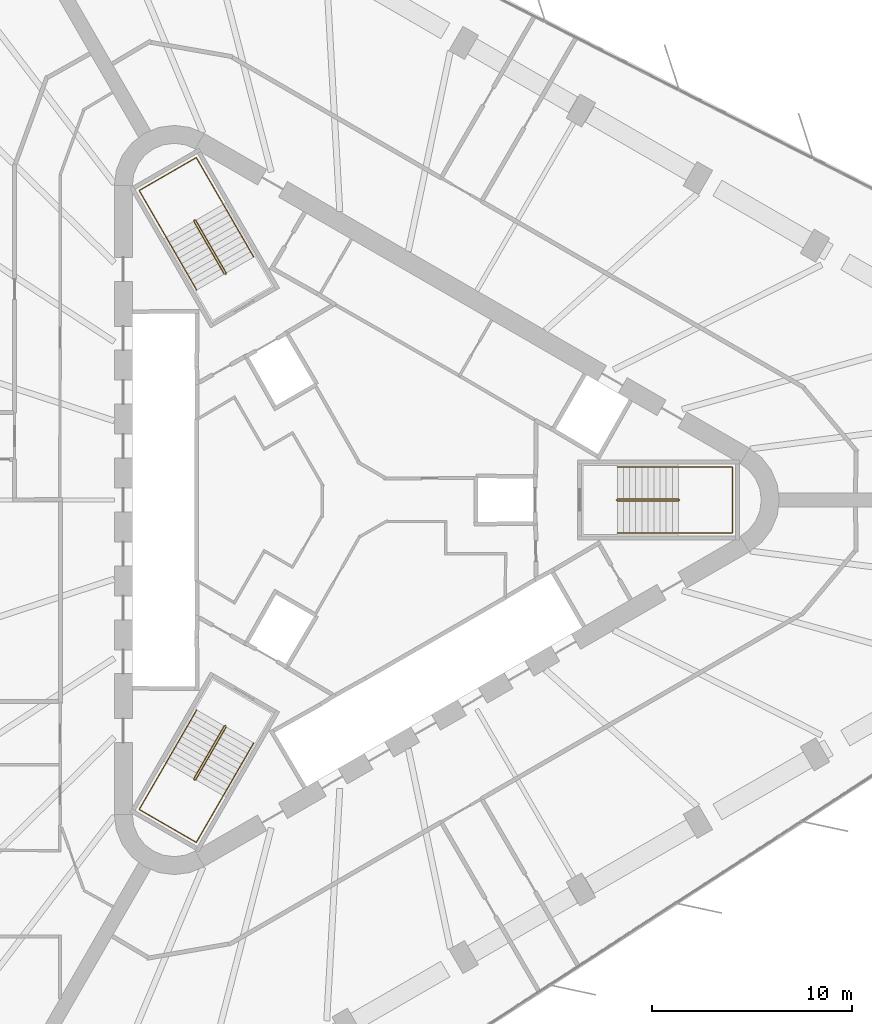
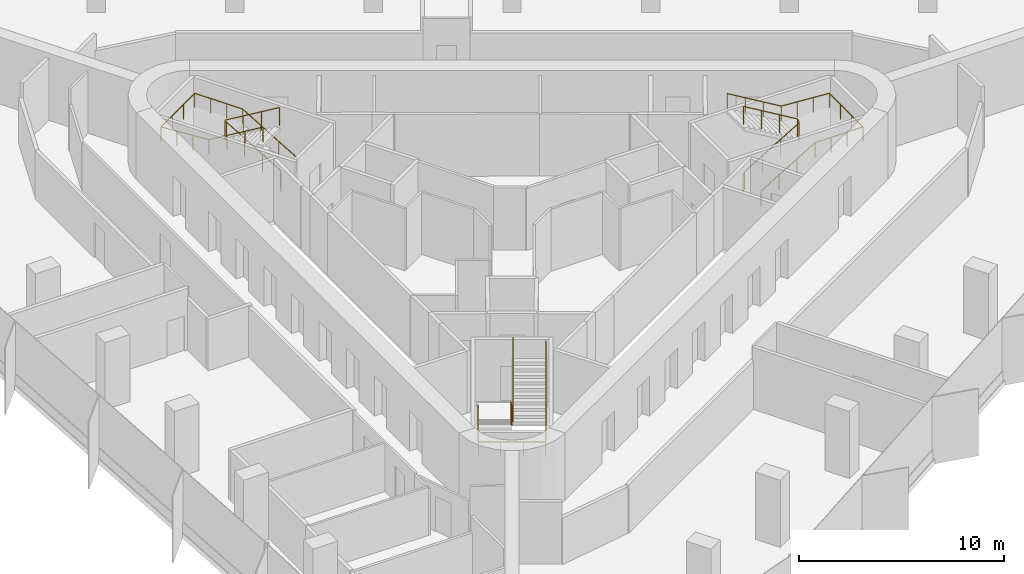
# One storey, part 13 of 13: 6 railings.
"""IFC4 building model written with IfcOpenShell, lengths in metres."""

from ifc_helpers import new_model, si_unit, direction, frame, origin, origin_2d, place, context, subcontext, project, spatial, circle, extrude, material, type_object, element, save


model = new_model("IFC4")

# Units and contexts
model_context = context("Model", 3, precision=1e-05, world=origin(), true_north=direction((0.0, 1.0)))
body_context = subcontext(model_context, "Body", "Model", "MODEL_VIEW")
ifc_project = project(units=[si_unit("LENGTHUNIT", "METRE"), si_unit("AREAUNIT", "SQUARE_METRE"), si_unit("VOLUMEUNIT", "CUBIC_METRE"), si_unit("PLANEANGLEUNIT", "RADIAN"), si_unit("MASSUNIT", "GRAM", prefix="KILO")], contexts=[model_context])

# Site, building, storey
site_placement = place(None, origin())
site = spatial("IfcSite", under=ifc_project, at=site_placement, CompositionType="ELEMENT")
building_placement = place(site_placement, origin())
building = spatial("IfcBuilding", under=site, at=building_placement, Name="Tanit Gate Tower", CompositionType="ELEMENT")
storey_placement = place(building_placement, frame((0.0, 0.0, 169.199951171875)))
storey = spatial("IfcBuildingStorey", under=building, at=storey_placement, Name="L36", CompositionType="ELEMENT", Elevation=169.199951171875)

# Railings
ifc_material_1 = material(Name="Stainless steel balustrade", Category="steel")
railing_type_1 = type_object("IfcRailingType", Name="INT-STAIR-GUARD", PredefinedType="GUARDRAIL", material=ifc_material_1)
railing_1_placement = place(storey_placement, frame((13.044921875, 0.0048828125, 0.0)))
element("IfcRailing", 1, at=railing_1_placement, inside=storey, type_object=railing_type_1, Name="L36 S1 stair guard 1", PredefinedType="GUARDRAIL", context=body_context, shape_type="SweptSolid", body=[
    extrude(circle(Radius=0.02392578125, at=origin_2d()), frame((0.0, 0.0, 1.076171875), z_axis=(0.0, -1.0, 0.0), x_axis=(1.0, 0.0, 0.0)), (0.0, 0.0, 1.0), 0.009765625),
    extrude(circle(Radius=0.02392578125, at=origin_2d()), frame((0.0, -0.009765625, 1.076171875), z_axis=(0.256435381639, -0.256435381639, 0.931923704005), x_axis=(0.707106781187, 0.707106781187, 0.0)), (0.0, 0.0, 1.0), 0.195068359375),
    extrude(circle(Radius=0.02392578125, at=origin_2d()), frame((0.050048828125, -0.059814453125, 1.2578125), z_axis=(0.859041732319, 0.0, 0.511905559781), x_axis=(0.0, 1.0, 0.0)), (0.0, 0.0, 1.0), 3.5517578125),
    extrude(circle(Radius=0.02392578125, at=origin_2d()), frame((3.10107421875, -0.059814453125, 3.076171875), z_axis=(0.707106781187, 0.707106781187, 0.0), x_axis=(-0.707106781187, 0.707106781187, 0.0)), (0.0, 0.0, 1.0), 0.07080078125),
    extrude(circle(Radius=0.02392578125, at=origin_2d()), frame((3.151123046875, -0.009765625, 3.076171875), z_axis=(0.0, 1.0, 0.0), x_axis=(-1.0, 0.0, 0.0)), (0.0, 0.0, 1.0), 0.009765625),
    extrude(circle(Radius=0.02392578125, at=origin_2d()), frame((3.151123046875, 0.0, 3.076171875), z_axis=(-0.256435381639, 0.256435381639, 0.931923704005), x_axis=(-0.707106781187, -0.707106781187, 0.0)), (0.0, 0.0, 1.0), 0.195068359375),
    extrude(circle(Radius=0.02392578125, at=origin_2d()), frame((3.10107421875, 0.050048828125, 3.2578125), z_axis=(-0.859041732319, 0.0, 0.511905559781), x_axis=(0.0, -1.0, 0.0)), (0.0, 0.0, 1.0), 3.5517578125),
    extrude(circle(Radius=0.02099609375, at=origin_2d()), origin(), (0.0, 0.0, 1.0), 1.052001953125),
    extrude(circle(Radius=0.02099609375, at=origin_2d()), frame((0.0, -0.009765625, 0.0)), (0.0, 0.0, 1.0), 1.052001953125),
    extrude(circle(Radius=0.02099609375, at=origin_2d()), frame((0.050048828125, -0.059814453125, 0.181884765625)), (0.0, 0.0, 1.0), 1.052001953125),
    extrude(circle(Radius=0.02099609375, at=origin_2d()), frame((1.067138671875, -0.059814453125, 0.787841796875)), (0.0, 0.0, 1.0), 1.052001953125),
    extrude(circle(Radius=0.02099609375, at=origin_2d()), frame((2.083984375, -0.059814453125, 1.39404296875)), (0.0, 0.0, 1.0), 1.052001953125),
    extrude(circle(Radius=0.02099609375, at=origin_2d()), frame((3.10107421875, -0.059814453125, 2.0)), (0.0, 0.0, 1.0), 1.052001953125),
    extrude(circle(Radius=0.02099609375, at=origin_2d()), frame((3.151123046875, -0.009765625, 2.0)), (0.0, 0.0, 1.0), 1.052001953125),
    extrude(circle(Radius=0.02099609375, at=origin_2d()), frame((3.151123046875, 0.0, 2.0)), (0.0, 0.0, 1.0), 1.052001953125),
    extrude(circle(Radius=0.02099609375, at=origin_2d()), frame((3.10107421875, 0.050048828125, 2.181884765625)), (0.0, 0.0, 1.0), 1.052001953125),
    extrude(circle(Radius=0.02099609375, at=origin_2d()), frame((2.083984375, 0.050048828125, 2.787841796875)), (0.0, 0.0, 1.0), 1.052001953125),
    extrude(circle(Radius=0.02099609375, at=origin_2d()), frame((1.067138671875, 0.050048828125, 3.39404296875)), (0.0, 0.0, 1.0), 1.052001953125),
    extrude(circle(Radius=0.02099609375, at=origin_2d()), frame((0.050048828125, 0.050048828125, 4.0)), (0.0, 0.0, 1.0), 1.052001953125),
])
railing_2_placement = place(storey_placement, frame((-6.527099609375, 11.29345703125, 0.0)))
element("IfcRailing", 2, at=railing_2_placement, inside=storey, type_object=railing_type_1, Name="L36 S2 stair guard 1", PredefinedType="GUARDRAIL", context=body_context, shape_type="SweptSolid", body=[
    extrude(circle(Radius=0.02392578125, at=origin_2d()), frame((0.0, 0.0, 1.076171875), z_axis=(0.868243142124, 0.496138938357, 0.0), x_axis=(-0.496138938357, 0.868243142124, 0.0)), (0.0, 0.0, 1.0), 0.01171875),
    extrude(circle(Radius=0.02392578125, at=origin_2d()), frame((0.01025390625, 0.005859375, 1.076171875), z_axis=(0.093819657636, 0.350260055175, 0.93194193252), x_axis=(-0.965948051503, 0.258736085224, 0.0)), (0.0, 0.0, 1.0), 0.195068359375),
    extrude(circle(Radius=0.02392578125, at=origin_2d()), frame((0.028564453125, 0.07421875, 1.2578125), z_axis=(-0.429472220917, 0.743822504634, 0.512134448226), x_axis=(-0.866012246495, -0.500022788402, 0.0)), (0.0, 0.0, 1.0), 3.550048828125),
    extrude(circle(Radius=0.02392578125, at=origin_2d()), frame((-1.49609375, 2.71484375, 3.076171875), z_axis=(-0.965715946433, 0.259601060869, 0.0), x_axis=(-0.259601060869, -0.965715946433, 0.0)), (0.0, 0.0, 1.0), 0.070556640625),
    extrude(circle(Radius=0.02392578125, at=origin_2d()), frame((-1.564208984375, 2.733154296875, 3.076171875), z_axis=(-0.873197702015, -0.487366159264, 0.0), x_axis=(0.487366159264, -0.873197702015, 0.0)), (0.0, 0.0, 1.0), 0.011962890625),
    extrude(circle(Radius=0.02392578125, at=origin_2d()), frame((-1.57470703125, 2.727294921875, 3.076171875), z_axis=(-0.093819657636, -0.350260055175, 0.93194193252), x_axis=(0.965948051503, -0.258736085224, 0.0)), (0.0, 0.0, 1.0), 0.195068359375),
    extrude(circle(Radius=0.02392578125, at=origin_2d()), frame((-1.593017578125, 2.658935546875, 3.2578125), z_axis=(0.429472220917, -0.743822504634, 0.512134448226), x_axis=(0.866012246495, 0.500022788402, 0.0)), (0.0, 0.0, 1.0), 3.550048828125),
    extrude(circle(Radius=0.02099609375, at=origin_2d()), origin(), (0.0, 0.0, 1.0), 1.052001953125),
    extrude(circle(Radius=0.02099609375, at=origin_2d()), frame((0.01025390625, 0.005859375, 0.0)), (0.0, 0.0, 1.0), 1.052001953125),
    extrude(circle(Radius=0.02099609375, at=origin_2d()), frame((0.028564453125, 0.07421875, 0.181884765625)), (0.0, 0.0, 1.0), 1.052001953125),
    extrude(circle(Radius=0.02099609375, at=origin_2d()), frame((-0.479736328125, 0.954345703125, 0.787841796875)), (0.0, 0.0, 1.0), 1.052001953125),
    extrude(circle(Radius=0.02099609375, at=origin_2d()), frame((-0.98779296875, 1.834716796875, 1.39404296875)), (0.0, 0.0, 1.0), 1.052001953125),
    extrude(circle(Radius=0.02099609375, at=origin_2d()), frame((-1.49609375, 2.71484375, 2.0)), (0.0, 0.0, 1.0), 1.052001953125),
    extrude(circle(Radius=0.02099609375, at=origin_2d()), frame((-1.564208984375, 2.733154296875, 2.0)), (0.0, 0.0, 1.0), 1.052001953125),
    extrude(circle(Radius=0.02099609375, at=origin_2d()), frame((-1.57470703125, 2.727294921875, 2.0)), (0.0, 0.0, 1.0), 1.052001953125),
    extrude(circle(Radius=0.02099609375, at=origin_2d()), frame((-1.593017578125, 2.658935546875, 2.181884765625)), (0.0, 0.0, 1.0), 1.052001953125),
    extrude(circle(Radius=0.02099609375, at=origin_2d()), frame((-1.084716796875, 1.77880859375, 2.787841796875)), (0.0, 0.0, 1.0), 1.052001953125),
    extrude(circle(Radius=0.02099609375, at=origin_2d()), frame((-0.57666015625, 0.8984375, 3.39404296875)), (0.0, 0.0, 1.0), 1.052001953125),
    extrude(circle(Radius=0.02099609375, at=origin_2d()), frame((-0.068359375, 0.018310546875, 4.0)), (0.0, 0.0, 1.0), 1.052001953125),
])
railing_3_placement = place(storey_placement, frame((-6.51806640625, -11.2998046875, 0.0)))
element("IfcRailing", 3, at=railing_3_placement, inside=storey, type_object=railing_type_1, Name="L36 S3 stair guard 1", PredefinedType="GUARDRAIL", context=body_context, shape_type="SweptSolid", body=[
    extrude(circle(Radius=0.02392578125, at=origin_2d()), frame((0.0, 0.0, 1.076171875), z_axis=(-0.874157276122, 0.485642931179, 0.0), x_axis=(-0.485642931179, -0.874157276122, 0.0)), (0.0, 0.0, 1.0), 0.010009765625),
    extrude(circle(Radius=0.02392578125, at=origin_2d()), frame((-0.0087890625, 0.0048828125, 1.076171875), z_axis=(-0.350300895388, -0.092579522353, 0.932050596658), x_axis=(0.255512919477, -0.966805641264, 0.0)), (0.0, 0.0, 1.0), 0.195068359375),
    extrude(circle(Radius=0.02392578125, at=origin_2d()), frame((-0.0771484375, -0.01318359375, 1.2578125), z_axis=(-0.429486674828, -0.743971555965, 0.511905772639), x_axis=(0.866048339477, -0.499960272111, 0.0)), (0.0, 0.0, 1.0), 3.5517578125),
    extrude(circle(Radius=0.02392578125, at=origin_2d()), frame((-1.6025390625, -2.655517578125, 3.076171875), z_axis=(0.258736085224, -0.965948051503, 0.0), x_axis=(0.965948051503, 0.258736085224, 0.0)), (0.0, 0.0, 1.0), 0.07080078125),
    extrude(circle(Radius=0.02392578125, at=origin_2d()), frame((-1.584228515625, -2.723876953125, 3.076171875), z_axis=(0.868243142124, -0.496138938357, 0.0), x_axis=(0.496138938357, 0.868243142124, 0.0)), (0.0, 0.0, 1.0), 0.009765625),
    extrude(circle(Radius=0.02392578125, at=origin_2d()), frame((-1.57568359375, -2.728759765625, 3.076171875), z_axis=(0.350260055175, 0.093819657636, 0.93194193252), x_axis=(-0.258736085224, 0.965948051503, 0.0)), (0.0, 0.0, 1.0), 0.195068359375),
    extrude(circle(Radius=0.02392578125, at=origin_2d()), frame((-1.50732421875, -2.71044921875, 3.2578125), z_axis=(0.429564698942, 0.743918894535, 0.511916836777), x_axis=(-0.865993683553, 0.500054937028, 0.0)), (0.0, 0.0, 1.0), 3.551513671875),
    extrude(circle(Radius=0.02099609375, at=origin_2d()), origin(), (0.0, 0.0, 1.0), 1.052001953125),
    extrude(circle(Radius=0.02099609375, at=origin_2d()), frame((-0.0087890625, 0.0048828125, 0.0)), (0.0, 0.0, 1.0), 1.052001953125),
    extrude(circle(Radius=0.02099609375, at=origin_2d()), frame((-0.0771484375, -0.01318359375, 0.181884765625)), (0.0, 0.0, 1.0), 1.052001953125),
    extrude(circle(Radius=0.02099609375, at=origin_2d()), frame((-0.585693359375, -0.89404296875, 0.787841796875)), (0.0, 0.0, 1.0), 1.052001953125),
    extrude(circle(Radius=0.02099609375, at=origin_2d()), frame((-1.093994140625, -1.774658203125, 1.39404296875)), (0.0, 0.0, 1.0), 1.052001953125),
    extrude(circle(Radius=0.02099609375, at=origin_2d()), frame((-1.6025390625, -2.655517578125, 2.0)), (0.0, 0.0, 1.0), 1.052001953125),
    extrude(circle(Radius=0.02099609375, at=origin_2d()), frame((-1.584228515625, -2.723876953125, 2.0)), (0.0, 0.0, 1.0), 1.052001953125),
    extrude(circle(Radius=0.02099609375, at=origin_2d()), frame((-1.57568359375, -2.728759765625, 2.0)), (0.0, 0.0, 1.0), 1.052001953125),
    extrude(circle(Radius=0.02099609375, at=origin_2d()), frame((-1.50732421875, -2.71044921875, 2.181884765625)), (0.0, 0.0, 1.0), 1.052001953125),
    extrude(circle(Radius=0.02099609375, at=origin_2d()), frame((-0.998779296875, -1.829833984375, 2.787841796875)), (0.0, 0.0, 1.0), 1.052001953125),
    extrude(circle(Radius=0.02099609375, at=origin_2d()), frame((-0.490234375, -0.948974609375, 3.39404296875)), (0.0, 0.0, 1.0), 1.052001953125),
    extrude(circle(Radius=0.02099609375, at=origin_2d()), frame((0.018310546875, -0.068359375, 4.0)), (0.0, 0.0, 1.0), 1.052001953125),
])
ifc_material_2 = material(Name="Stainless steel handrail", Category="steel")
railing_type_2 = type_object("IfcRailingType", Name="INT-STAIR-HANDRAIL", PredefinedType="HANDRAIL", material=ifc_material_2)
railing_4_placement = place(storey_placement, frame((13.094970703125, -1.64990234375, 0.181884765625)))
element("IfcRailing", 4, at=railing_4_placement, inside=storey, type_object=railing_type_2, Name="L36 S1 stair handrail 1", PredefinedType="HANDRAIL", context=body_context, shape_type="SweptSolid", body=[
    extrude(circle(Radius=0.02392578125, at=origin_2d()), frame((0.0, 0.0, 0.8759765625), z_axis=(0.859041732319, 0.0, 0.511905559781), x_axis=(0.0, 1.0, 0.0)), (0.0, 0.0, 1.0), 3.5517578125),
    extrude(circle(Radius=0.02392578125, at=origin_2d()), frame((3.051025390625, 0.0, 2.69384765625), z_axis=(1.0, 0.0, 0.0), x_axis=(0.0, 1.0, 0.0)), (0.0, 0.0, 1.0), 2.7041015625),
    extrude(circle(Radius=0.02392578125, at=origin_2d()), frame((5.755126953125, 0.0, 2.69384765625), z_axis=(0.0, 1.0, 0.0), x_axis=(-1.0, 0.0, 0.0)), (0.0, 0.0, 1.0), 3.2998046875),
    extrude(circle(Radius=0.02392578125, at=origin_2d()), frame((5.755126953125, 3.2998046875, 2.69384765625), z_axis=(-0.997745521698, 0.0, 0.067110907698), x_axis=(0.0, -1.0, 0.0)), (0.0, 0.0, 1.0), 2.710205078125),
    extrude(circle(Radius=0.02392578125, at=origin_2d()), frame((3.051025390625, 3.2998046875, 2.8759765625), z_axis=(-0.859041732319, 0.0, 0.511905559781), x_axis=(0.0, -1.0, 0.0)), (0.0, 0.0, 1.0), 3.5517578125),
    extrude(circle(Radius=0.02099609375, at=origin_2d()), origin(), (0.0, 0.0, 1.0), 0.851806640625),
    extrude(circle(Radius=0.02099609375, at=origin_2d()), frame((1.01708984375, 0.0, 0.60595703125)), (0.0, 0.0, 1.0), 0.851806640625),
    extrude(circle(Radius=0.02099609375, at=origin_2d()), frame((2.033935546875, 0.0, 1.212158203125)), (0.0, 0.0, 1.0), 0.851806640625),
    extrude(circle(Radius=0.02099609375, at=origin_2d()), frame((3.051025390625, 0.0, 1.818115234375)), (0.0, 0.0, 1.0), 0.851806640625),
    extrude(circle(Radius=0.02099609375, at=origin_2d()), frame((3.952392578125, 0.0, 1.818115234375)), (0.0, 0.0, 1.0), 0.851806640625),
    extrude(circle(Radius=0.02099609375, at=origin_2d()), frame((4.853759765625, 0.0, 1.818115234375)), (0.0, 0.0, 1.0), 0.851806640625),
    extrude(circle(Radius=0.02099609375, at=origin_2d()), frame((5.755126953125, 0.0, 1.818115234375)), (0.0, 0.0, 1.0), 0.851806640625),
    extrude(circle(Radius=0.02099609375, at=origin_2d()), frame((5.755126953125, 1.099853515625, 1.818115234375)), (0.0, 0.0, 1.0), 0.851806640625),
    extrude(circle(Radius=0.02099609375, at=origin_2d()), frame((5.755126953125, 2.199951171875, 1.818115234375)), (0.0, 0.0, 1.0), 0.851806640625),
    extrude(circle(Radius=0.02099609375, at=origin_2d()), frame((5.755126953125, 3.2998046875, 1.818115234375)), (0.0, 0.0, 1.0), 0.851806640625),
    extrude(circle(Radius=0.02099609375, at=origin_2d()), frame((4.853759765625, 3.2998046875, 1.878662109375)), (0.0, 0.0, 1.0), 0.851806640625),
    extrude(circle(Radius=0.02099609375, at=origin_2d()), frame((3.952392578125, 3.2998046875, 1.939453125)), (0.0, 0.0, 1.0), 0.851806640625),
    extrude(circle(Radius=0.02099609375, at=origin_2d()), frame((3.051025390625, 3.2998046875, 2.0)), (0.0, 0.0, 1.0), 0.851806640625),
    extrude(circle(Radius=0.02099609375, at=origin_2d()), frame((2.033935546875, 3.2998046875, 2.60595703125)), (0.0, 0.0, 1.0), 0.851806640625),
    extrude(circle(Radius=0.02099609375, at=origin_2d()), frame((1.01708984375, 3.2998046875, 3.212158203125)), (0.0, 0.0, 1.0), 0.851806640625),
    extrude(circle(Radius=0.02099609375, at=origin_2d()), frame((0.0, 3.2998046875, 3.818115234375)), (0.0, 0.0, 1.0), 0.851806640625),
])
railing_5_placement = place(storey_placement, frame((-5.1181640625, 12.164794921875, 0.181884765625)))
element("IfcRailing", 5, at=railing_5_placement, inside=storey, type_object=railing_type_2, Name="L36 S2 stair handrail 1", PredefinedType="HANDRAIL", context=body_context, shape_type="SweptSolid", body=[
    extrude(circle(Radius=0.02392578125, at=origin_2d()), frame((0.0, 0.0, 0.8759765625), z_axis=(-0.429416132344, 0.743844472684, 0.512149573602), x_axis=(-0.866046917185, -0.499962735845, 0.0)), (0.0, 0.0, 1.0), 3.550048828125),
    extrude(circle(Radius=0.02392578125, at=origin_2d()), frame((-1.5244140625, 2.640625, 2.69384765625), z_axis=(-0.500019123664, 0.86601436245, 0.0), x_axis=(-0.86601436245, -0.500019123664, 0.0)), (0.0, 0.0, 1.0), 2.70703125),
    extrude(circle(Radius=0.02392578125, at=origin_2d()), frame((-2.8779296875, 4.98486328125, 2.69384765625), z_axis=(-0.866008176907, -0.50002983664, 0.0), x_axis=(0.50002983664, -0.866008176907, 0.0)), (0.0, 0.0, 1.0), 3.300048828125),
    extrude(circle(Radius=0.02392578125, at=origin_2d()), frame((-5.73583984375, 3.334716796875, 2.69384765625), z_axis=(0.498932980467, -0.864043208057, 0.067046369128), x_axis=(0.865991810323, 0.500058181068, 0.0)), (0.0, 0.0, 1.0), 2.712890625),
    extrude(circle(Radius=0.02392578125, at=origin_2d()), frame((-4.38232421875, 0.99072265625, 2.8759765625), z_axis=(0.429450252752, -0.743853224023, 0.512108251761), x_axis=(0.866032263162, 0.499988119021, 0.0)), (0.0, 0.0, 1.0), 3.55029296875),
    extrude(circle(Radius=0.02099609375, at=origin_2d()), origin(), (0.0, 0.0, 1.0), 0.851806640625),
    extrude(circle(Radius=0.02099609375, at=origin_2d()), frame((-0.508056640625, 0.880126953125, 0.60595703125)), (0.0, 0.0, 1.0), 0.851806640625),
    extrude(circle(Radius=0.02099609375, at=origin_2d()), frame((-1.016357421875, 1.760498046875, 1.212158203125)), (0.0, 0.0, 1.0), 0.851806640625),
    extrude(circle(Radius=0.02099609375, at=origin_2d()), frame((-1.5244140625, 2.640625, 1.818115234375)), (0.0, 0.0, 1.0), 0.851806640625),
    extrude(circle(Radius=0.02099609375, at=origin_2d()), frame((-1.9755859375, 3.422119140625, 1.818115234375)), (0.0, 0.0, 1.0), 0.851806640625),
    extrude(circle(Radius=0.02099609375, at=origin_2d()), frame((-2.4267578125, 4.203369140625, 1.818115234375)), (0.0, 0.0, 1.0), 0.851806640625),
    extrude(circle(Radius=0.02099609375, at=origin_2d()), frame((-2.8779296875, 4.98486328125, 1.818115234375)), (0.0, 0.0, 1.0), 0.851806640625),
    extrude(circle(Radius=0.02099609375, at=origin_2d()), frame((-3.83056640625, 4.434814453125, 1.818115234375)), (0.0, 0.0, 1.0), 0.851806640625),
    extrude(circle(Radius=0.02099609375, at=origin_2d()), frame((-4.783203125, 3.884765625, 1.818115234375)), (0.0, 0.0, 1.0), 0.851806640625),
    extrude(circle(Radius=0.02099609375, at=origin_2d()), frame((-5.73583984375, 3.334716796875, 1.818115234375)), (0.0, 0.0, 1.0), 0.851806640625),
    extrude(circle(Radius=0.02099609375, at=origin_2d()), frame((-5.28466796875, 2.553466796875, 1.878662109375)), (0.0, 0.0, 1.0), 0.851806640625),
    extrude(circle(Radius=0.02099609375, at=origin_2d()), frame((-4.83349609375, 1.77197265625, 1.939453125)), (0.0, 0.0, 1.0), 0.851806640625),
    extrude(circle(Radius=0.02099609375, at=origin_2d()), frame((-4.38232421875, 0.99072265625, 2.0)), (0.0, 0.0, 1.0), 0.851806640625),
    extrude(circle(Radius=0.02099609375, at=origin_2d()), frame((-3.8740234375, 0.1103515625, 2.60595703125)), (0.0, 0.0, 1.0), 0.851806640625),
    extrude(circle(Radius=0.02099609375, at=origin_2d()), frame((-3.365966796875, -0.769775390625, 3.212158203125)), (0.0, 0.0, 1.0), 0.851806640625),
    extrude(circle(Radius=0.02099609375, at=origin_2d()), frame((-2.857666015625, -1.650146484375, 3.818115234375)), (0.0, 0.0, 1.0), 0.851806640625),
])
railing_6_placement = place(storey_placement, frame((-7.9765625, -10.515625, 0.181884765625)))
element("IfcRailing", 6, at=railing_6_placement, inside=storey, type_object=railing_type_2, Name="L36 S3 stair handrail 1", PredefinedType="HANDRAIL", context=body_context, shape_type="SweptSolid", body=[
    extrude(circle(Radius=0.02392578125, at=origin_2d()), frame((0.0, 0.0, 0.8759765625), z_axis=(-0.429486674828, -0.743971555965, 0.511905772639), x_axis=(0.866048339477, -0.499960272111, 0.0)), (0.0, 0.0, 1.0), 3.5517578125),
    extrude(circle(Radius=0.02392578125, at=origin_2d()), frame((-1.525390625, -2.642333984375, 2.69384765625), z_axis=(-0.50004290449, -0.866000631449, 0.0), x_axis=(0.866000631449, -0.50004290449, 0.0)), (0.0, 0.0, 1.0), 2.703857421875),
    extrude(circle(Radius=0.02392578125, at=origin_2d()), frame((-2.87744140625, -4.98388671875, 2.69384765625), z_axis=(0.866008176907, -0.50002983664, 0.0), x_axis=(0.50002983664, 0.866008176907, 0.0)), (0.0, 0.0, 1.0), 3.300048828125),
    extrude(circle(Radius=0.02392578125, at=origin_2d()), frame((-0.01953125, -6.634033203125, 2.69384765625), z_axis=(0.498876541924, 0.864070745781, 0.067111416348), x_axis=(-0.866023205937, 0.500003806764, 0.0)), (0.0, 0.0, 1.0), 2.710205078125),
    extrude(circle(Radius=0.02392578125, at=origin_2d()), frame((1.33251953125, -4.292236328125, 2.8759765625), z_axis=(0.429486674828, 0.743971555965, 0.511905772639), x_axis=(-0.866048339477, 0.499960272111, 0.0)), (0.0, 0.0, 1.0), 3.5517578125),
    extrude(circle(Radius=0.02099609375, at=origin_2d()), origin(), (0.0, 0.0, 1.0), 0.851806640625),
    extrude(circle(Radius=0.02099609375, at=origin_2d()), frame((-0.508544921875, -0.880859375, 0.60595703125)), (0.0, 0.0, 1.0), 0.851806640625),
    extrude(circle(Radius=0.02099609375, at=origin_2d()), frame((-1.016845703125, -1.761474609375, 1.212158203125)), (0.0, 0.0, 1.0), 0.851806640625),
    extrude(circle(Radius=0.02099609375, at=origin_2d()), frame((-1.525390625, -2.642333984375, 1.818115234375)), (0.0, 0.0, 1.0), 0.851806640625),
    extrude(circle(Radius=0.02099609375, at=origin_2d()), frame((-1.97607421875, -3.4228515625, 1.818115234375)), (0.0, 0.0, 1.0), 0.851806640625),
    extrude(circle(Radius=0.02099609375, at=origin_2d()), frame((-2.4267578125, -4.203369140625, 1.818115234375)), (0.0, 0.0, 1.0), 0.851806640625),
    extrude(circle(Radius=0.02099609375, at=origin_2d()), frame((-2.87744140625, -4.98388671875, 1.818115234375)), (0.0, 0.0, 1.0), 0.851806640625),
    extrude(circle(Radius=0.02099609375, at=origin_2d()), frame((-1.9248046875, -5.533935546875, 1.818115234375)), (0.0, 0.0, 1.0), 0.851806640625),
    extrude(circle(Radius=0.02099609375, at=origin_2d()), frame((-0.97216796875, -6.083984375, 1.818115234375)), (0.0, 0.0, 1.0), 0.851806640625),
    extrude(circle(Radius=0.02099609375, at=origin_2d()), frame((-0.01953125, -6.634033203125, 1.818115234375)), (0.0, 0.0, 1.0), 0.851806640625),
    extrude(circle(Radius=0.02099609375, at=origin_2d()), frame((0.43115234375, -5.853515625, 1.878662109375)), (0.0, 0.0, 1.0), 0.851806640625),
    extrude(circle(Radius=0.02099609375, at=origin_2d()), frame((0.8818359375, -5.07275390625, 1.939453125)), (0.0, 0.0, 1.0), 0.851806640625),
    extrude(circle(Radius=0.02099609375, at=origin_2d()), frame((1.33251953125, -4.292236328125, 2.0)), (0.0, 0.0, 1.0), 0.851806640625),
    extrude(circle(Radius=0.02099609375, at=origin_2d()), frame((1.841064453125, -3.411376953125, 2.60595703125)), (0.0, 0.0, 1.0), 0.851806640625),
    extrude(circle(Radius=0.02099609375, at=origin_2d()), frame((2.349365234375, -2.53076171875, 3.212158203125)), (0.0, 0.0, 1.0), 0.851806640625),
    extrude(circle(Radius=0.02099609375, at=origin_2d()), frame((2.85791015625, -1.64990234375, 3.818115234375)), (0.0, 0.0, 1.0), 0.851806640625),
])

save(model, "model.ifc")
